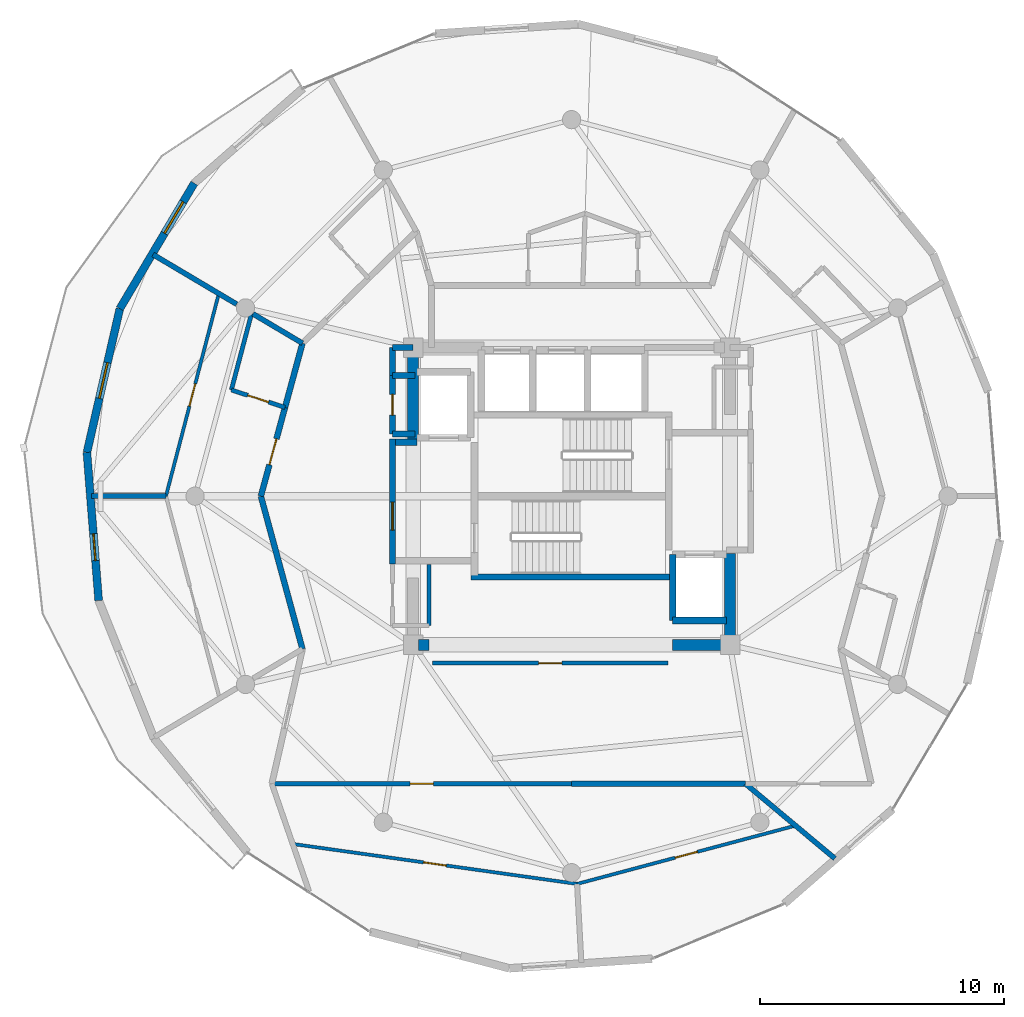
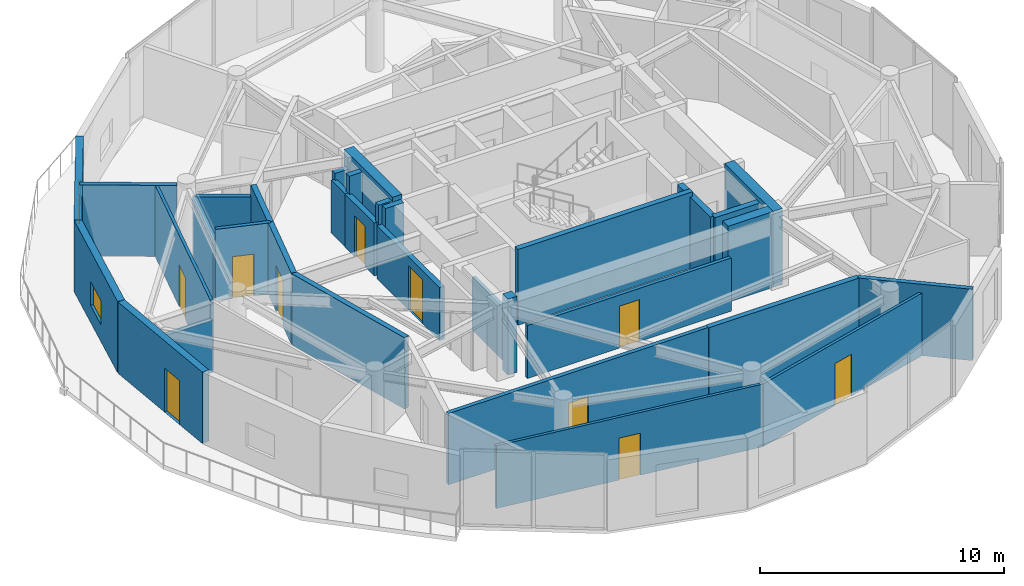
# One storey, part 12 of 17: 33 walls, 10 doors, 2 windows, 12 openings.
"""IFC4 building model written with IfcOpenShell, lengths in metres."""

from ifc_helpers import new_model, si_unit, direction, frame, frame_2d, origin, place, context, subcontext, project, spatial, rectangle, extrude, material, layer, layer_set, type_object, element, fill, save


model = new_model("IFC4")

# Units and contexts
model_context = context("Model", 3, precision=1e-05, world=origin(), true_north=direction((0.0, 1.0)))
body_context = subcontext(model_context, "Body", "Model", "MODEL_VIEW")
ifc_project = project(units=[si_unit("LENGTHUNIT", "METRE"), si_unit("AREAUNIT", "SQUARE_METRE"), si_unit("VOLUMEUNIT", "CUBIC_METRE"), si_unit("PLANEANGLEUNIT", "RADIAN"), si_unit("MASSUNIT", "GRAM", prefix="KILO")], contexts=[model_context])

# Site, building, storey
site_placement = place(None, origin())
site = spatial("IfcSite", under=ifc_project, at=site_placement, CompositionType="ELEMENT")
building_placement = place(site_placement, origin())
building = spatial("IfcBuilding", under=site, at=building_placement, Name="Solvirekh Grand Hotel", CompositionType="ELEMENT")
storey_placement = place(building_placement, frame((0.0, 0.0, 246.800048828125)))
storey = spatial("IfcBuildingStorey", under=building, at=storey_placement, Name="L64", CompositionType="ELEMENT", Elevation=246.800048828125)

# Walls
ifc_material_1 = material(Name="Concrete C50/60", Category="concrete")
ifc_layer_1 = layer(ifc_material_1, 0.35009765625)
ifc_layer_set_1 = layer_set([ifc_layer_1], Name="Concrete C50/60")
wall_type_1 = type_object("IfcWallType", Name="CoreDivWall_RC350", PredefinedType="SOLIDWALL", material=ifc_layer_set_1)
wall_1_placement = place(storey_placement, frame((-4.1298828125, -3.324951171875, 0.0), z_axis=(0.0, 0.0, 1.0), x_axis=(1.0, 0.0, 0.0)))
element("IfcWall", 1, at=wall_1_placement, inside=storey, type_object=wall_type_1, Name="L64 core stair box wall ST-S", PredefinedType="SOLIDWALL", context=body_context, shape_type="SweptSolid", body=[
    extrude(rectangle(XDim=8.259765625, YDim=0.25, at=frame_2d((4.1298828125, 0.0))), origin(), (0.0, 0.0, 1.0), 3.800048828125),
])
ifc_material_2 = material(Name="Concrete C40/50", Category="concrete")
ifc_layer_2 = layer(ifc_material_2, 0.280029296875)
ifc_layer_set_2 = layer_set([ifc_layer_2], Name="Concrete C40/50")
wall_type_2 = type_object("IfcWallType", Name="CoreShaftWall_RC280", PredefinedType="SOLIDWALL", material=ifc_layer_set_2)
wall_2_placement = place(storey_placement, frame((4.14990234375, -5.10009765625, 0.0), z_axis=(0.0, 0.0, 1.0), x_axis=(1.0, 0.0, 0.0)))
element("IfcWall", 2, at=wall_2_placement, inside=storey, type_object=wall_type_2, Name="L64 FL-2 hoistway S wall", PredefinedType="SOLIDWALL", context=body_context, shape_type="SweptSolid", body=[
    extrude(rectangle(XDim=2.2001953125, YDim=0.280029296875, at=frame_2d((1.10009765625, 0.0))), origin(), (0.0, 0.0, 1.0), 3.570068359375),
])
wall_3_placement = place(storey_placement, frame((4.14990234375, -2.39990234375, 0.0), z_axis=(0.0, 0.0, 1.0), x_axis=(0.0, -1.0, 0.0)))
element("IfcWall", 3, at=wall_3_placement, inside=storey, type_object=wall_type_2, Name="L64 FL-2 hoistway W wall", PredefinedType="SOLIDWALL", context=body_context, shape_type="SweptSolid", body=[
    extrude(rectangle(XDim=2.7001953125, YDim=0.280029296875, at=frame_2d((1.35009765625, 0.0))), origin(), (0.0, 0.0, 1.0), 3.570068359375),
])
ifc_layer_3 = layer(ifc_material_1, 0.449951171875)
ifc_layer_set_3 = layer_set([ifc_layer_3], Name="Concrete C50/60")
wall_type_3 = type_object("IfcWallType", Name="CoreWall_RC450", PredefinedType="SHEAR", material=ifc_layer_set_3)
wall_4_placement = place(storey_placement, frame((-6.27490234375, -6.10009765625, 0.0), z_axis=(0.0, 0.0, 1.0), x_axis=(1.0, 0.0, 0.0)))
element("IfcWall", 4, at=wall_4_placement, inside=storey, type_object=wall_type_3, Name="L64 core corner shear wall SW-S", PredefinedType="SHEAR", context=body_context, shape_type="SweptSolid", body=[
    extrude(rectangle(XDim=0.4248046875, YDim=0.449951171875, at=frame_2d((0.21240234375, 0.0))), origin(), (0.0, 0.0, 1.0), 3.800048828125),
])
wall_5_placement = place(storey_placement, frame((4.14990234375, -6.10009765625, 0.0), z_axis=(0.0, 0.0, 1.0), x_axis=(1.0, 0.0, 0.0)))
element("IfcWall", 5, at=wall_5_placement, inside=storey, type_object=wall_type_3, Name="L64 core corner shear wall SE-S", PredefinedType="SHEAR", context=body_context, shape_type="SweptSolid", body=[
    extrude(rectangle(XDim=2.125, YDim=0.449951171875, at=frame_2d((1.0625, 0.0))), origin(), (0.0, 0.0, 1.0), 3.800048828125),
])
for number, where, z_axis, x_axis, name in (
    (6, (-6.5, 2.35009765625, 0.0), (0.0, 0.0, 1.0), (0.0, 1.0, 0.0), "L64 core corner shear wall WN-W"),
    (7, (6.5, -6.324951171875, 0.0), (0.0, 0.0, 1.0), (0.0, 1.0, 0.0), "L64 core corner shear wall ES-E"),
):
    element("IfcWall", number, at=place(storey_placement, frame(where, z_axis=z_axis, x_axis=x_axis)), inside=storey, type_object=wall_type_3, Name=name, PredefinedType="SHEAR", context=body_context, shape_type="SweptSolid", body=[
        extrude(rectangle(XDim=3.974853515625, YDim=0.449951171875, at=frame_2d((1.9873046875, 0.0))), origin(), (0.0, 0.0, 1.0), 3.800048828125),
    ])

# Wall, opening, window
ifc_material_3 = material(Name="Precast concrete C45/55", Category="concrete")
ifc_layer_4 = layer(ifc_material_3, 0.320068359375)
ifc_layer_set_4 = layer_set([ifc_layer_4], Name="Precast concrete C45/55")
wall_type_4 = type_object("IfcWallType", Name="ExtLobbyWall_RC320", PredefinedType="SOLIDWALL", material=ifc_layer_set_4)
wall_6_placement = place(storey_placement, frame((-18.535888671875, 7.695068359375, 0.0), z_axis=(0.0, 0.0, 1.0), x_axis=(0.510284251863, 0.860005803644, 0.0)))
wall_6 = element("IfcWall", 8, at=wall_6_placement, inside=storey, type_object=wall_type_4, Name="L64 cantilevered deck support wall chord 13", PredefinedType="SOLIDWALL", context=body_context, shape_type="SweptSolid", body=[
    extrude(rectangle(XDim=5.98486328125, YDim=0.320068359375, at=frame_2d((2.992431640625, 0.0))), origin(), (0.0, 0.0, 1.0), 3.570068359375),
])
opening_1_placement = place(wall_6_placement, frame((3.594970703125, 0.0, 0.85009765625)))
opening_1 = element("IfcOpeningElement", 9, at=opening_1_placement, cuts=wall_6, Name="Opening W05", PredefinedType="OPENING", context=body_context, shape_type="SweptSolid", body=[
    extrude(rectangle(XDim=1.5, YDim=1.199951171875, at=frame_2d((0.75, 0.60009765625))), frame((0.0, 0.169921875, 0.0), z_axis=(0.0, -1.0, 0.0), x_axis=(1.0, 0.0, 0.0)), (0.0, 0.0, 1.0), 0.340087890625),
])
ifc_material_4 = material(Name="Low-E Tinted Bronze Laminated Glass", Category="aluminium")
window_type = type_object("IfcWindowType", Name="Win_PlantVent_1500X1200", PartitioningType="SINGLE_PANEL", PredefinedType="WINDOW", material=ifc_material_4)
window_1_placement = place(opening_1_placement, origin())
window_1 = element("IfcWindow", 10, at=window_1_placement, inside=storey, type_object=window_type, Name="L64 bronze-framed vision ribbon window 13", OverallHeight=1.199951171875, OverallWidth=1.5, PartitioningType="SINGLE_PANEL", PredefinedType="WINDOW", context=body_context, shape_type="SweptSolid", body=[
    extrude(rectangle(XDim=1.5, YDim=1.199951171875, at=frame_2d((0.75, 0.60009765625))), frame((0.0, 0.030029296875, 0.0), z_axis=(0.0, -1.0, 0.0), x_axis=(1.0, 0.0, 0.0)), (0.0, 0.0, 1.0), 0.06005859375),
])
fill(opening_1, window_1)

wall_7_placement = place(storey_placement, frame((-19.886962890625, 1.794921875, 0.0), z_axis=(0.0, 0.0, 1.0), x_axis=(0.223212485592, 0.974769811943, 0.0)))
wall_7 = element("IfcWall", 11, at=wall_7_placement, inside=storey, type_object=wall_type_4, Name="L64 cantilevered deck support wall chord 14", PredefinedType="SOLIDWALL", context=body_context, shape_type="SweptSolid", body=[
    extrude(rectangle(XDim=6.052978515625, YDim=0.320068359375, at=frame_2d((3.0263671875, 0.0))), origin(), (0.0, 0.0, 1.0), 3.570068359375),
])
opening_2_placement = place(wall_7_placement, frame((2.27587890625, 0.0, 0.85009765625)))
opening_2 = element("IfcOpeningElement", 12, at=opening_2_placement, cuts=wall_7, Name="Opening W05", PredefinedType="OPENING", context=body_context, shape_type="SweptSolid", body=[
    extrude(rectangle(XDim=1.5, YDim=1.199951171875, at=frame_2d((0.75, 0.60009765625))), frame((0.0, 0.169921875, 0.0), z_axis=(0.0, -1.0, 0.0), x_axis=(1.0, 0.0, 0.0)), (0.0, 0.0, 1.0), 0.340087890625),
])
window_2_placement = place(opening_2_placement, origin())
window_2 = element("IfcWindow", 13, at=window_2_placement, inside=storey, type_object=window_type, Name="L64 bronze-framed vision ribbon window 14", OverallHeight=1.199951171875, OverallWidth=1.5, PartitioningType="SINGLE_PANEL", PredefinedType="WINDOW", context=body_context, shape_type="SweptSolid", body=[
    extrude(rectangle(XDim=1.5, YDim=1.199951171875, at=frame_2d((0.75, 0.60009765625))), frame((0.0, 0.030029296875, 0.0), z_axis=(0.0, -1.0, 0.0), x_axis=(1.0, 0.0, 0.0)), (0.0, 0.0, 1.0), 0.06005859375),
])
fill(opening_2, window_2)

# Wall, opening, door
wall_8_placement = place(storey_placement, frame((-19.405029296875, -4.281982421875, 0.0), z_axis=(0.0, 0.0, 1.0), x_axis=(-0.079057550351, 0.996870053584, 0.0)))
wall_8 = element("IfcWall", 14, at=wall_8_placement, inside=storey, type_object=wall_type_4, Name="L64 exterior structural wall chord 15", PredefinedType="SOLIDWALL", context=body_context, shape_type="SweptSolid", body=[
    extrude(rectangle(XDim=6.095947265625, YDim=0.320068359375, at=frame_2d((3.0478515625, 0.0))), origin(), (0.0, 0.0, 1.0), 3.570068359375),
])
opening_3_placement = place(wall_8_placement, frame((1.64599609375, 0.0, 0.0)))
opening_3 = element("IfcOpeningElement", 15, at=opening_3_placement, cuts=wall_8, Name="Opening D03", PredefinedType="OPENING", context=body_context, shape_type="SweptSolid", body=[
    extrude(rectangle(XDim=1.10009765625, YDim=2.199951171875, at=frame_2d((0.550048828125, 1.10009765625))), frame((0.0, 0.169921875, 0.0), z_axis=(0.0, -1.0, 0.0), x_axis=(1.0, 0.0, 0.0)), (0.0, 0.0, 1.0), 0.340087890625),
])
ifc_material_5 = material(Name="Anodized Bronze Aluminium 6063-T6", Category="aluminium")
door_type_1 = type_object("IfcDoorType", Name="Door_ExtBalcony_1100X2200", OperationType="NOTDEFINED", PredefinedType="DOOR", material=ifc_material_5)
door_1_placement = place(opening_3_placement, origin())
door_1 = element("IfcDoor", 16, at=door_1_placement, inside=storey, type_object=door_type_1, Name="L64 Crescent balcony glazed door (15)", OperationType="SINGLE_SWING_LEFT", OverallHeight=2.199951171875, OverallWidth=1.10009765625, PredefinedType="DOOR", context=body_context, shape_type="SweptSolid", body=[
    extrude(rectangle(XDim=1.10009765625, YDim=2.199951171875, at=frame_2d((0.550048828125, 1.10009765625))), frame((0.0, 0.02490234375, 0.0), z_axis=(0.0, -1.0, 0.0), x_axis=(1.0, 0.0, 0.0)), (0.0, 0.0, 1.0), 0.050048828125),
])
fill(opening_3, door_1)

# Wall
ifc_material_6 = material(Name="Acoustic Gypsum Partition Assembly")
ifc_layer_5 = layer(ifc_material_6, 0.1650390625)
ifc_layer_set_5 = layer_set([ifc_layer_5], Name="Acoustic Gypsum Partition Assembly")
wall_type_5 = type_object("IfcWallType", Name="Part_BOH_165", PredefinedType="PARTITIONING", material=ifc_layer_set_5)
wall_9_placement = place(storey_placement, frame((-5.85009765625, -5.300048828125, 0.0), z_axis=(0.0, 0.0, 1.0), x_axis=(0.0, 1.0, 0.0)))
element("IfcWall", 17, at=wall_9_placement, inside=storey, type_object=wall_type_5, Name="L64 L64 Core Linen Store wall 2", PredefinedType="PARTITIONING", context=body_context, shape_type="SweptSolid", body=[
    extrude(rectangle(XDim=2.5, YDim=0.1650390625, at=frame_2d((1.25, 0.0))), origin(), (0.0, 0.0, 1.0), 2.655029296875),
])

# Wall, opening, door
wall_10_placement = place(storey_placement, frame((-5.699951171875, -6.85009765625, 0.0), z_axis=(0.0, 0.0, 1.0), x_axis=(1.0, 0.0, 0.0)))
wall_10 = element("IfcWall", 18, at=wall_10_placement, inside=storey, type_object=wall_type_5, Name="L64 Housekeeping & Linen Store wall 1", PredefinedType="PARTITIONING", context=body_context, shape_type="SweptSolid", body=[
    extrude(rectangle(XDim=9.64990234375, YDim=0.1650390625, at=frame_2d((4.824951171875, 0.0))), origin(), (0.0, 0.0, 1.0), 2.655029296875),
])
opening_4_placement = place(wall_10_placement, frame((4.35009765625, 0.0, 0.0)))
opening_4 = element("IfcOpeningElement", 19, at=opening_4_placement, cuts=wall_10, Name="Opening D10", PredefinedType="OPENING", context=body_context, shape_type="SweptSolid", body=[
    extrude(rectangle(XDim=0.949951171875, YDim=2.10009765625, at=frame_2d((0.47509765625, 1.050048828125))), frame((0.0, 0.092529296875, 0.0), z_axis=(0.0, -1.0, 0.0), x_axis=(1.0, 0.0, 0.0)), (0.0, 0.0, 1.0), 0.18505859375),
])
door_type_2 = type_object("IfcDoorType", Name="Door_RoomInt_950X2100", OperationType="NOTDEFINED", PredefinedType="DOOR", material=ifc_material_5)
door_2_placement = place(opening_4_placement, origin())
door_2 = element("IfcDoor", 20, at=door_2_placement, inside=storey, type_object=door_type_2, Name="L64 Housekeeping & Linen Store door", OperationType="SINGLE_SWING_LEFT", OverallHeight=2.10009765625, OverallWidth=0.949951171875, PredefinedType="DOOR", context=body_context, shape_type="SweptSolid", body=[
    extrude(rectangle(XDim=0.949951171875, YDim=2.10009765625, at=frame_2d((0.47509765625, 1.050048828125))), frame((0.0, 0.02490234375, 0.0), z_axis=(0.0, -1.0, 0.0), x_axis=(1.0, 0.0, 0.0)), (0.0, 0.0, 1.0), 0.050048828125),
])
fill(opening_4, door_2)

ifc_layer_6 = layer(ifc_material_6, 0.239990234375)
ifc_layer_set_6 = layer_set([ifc_layer_6], Name="Acoustic Gypsum Partition Assembly")
wall_type_6 = type_object("IfcWallType", Name="Part_Corridor_240", PredefinedType="PARTITIONING", material=ifc_layer_set_6)
wall_11_placement = place(storey_placement, frame((-7.35009765625, -2.780029296875, 0.0), z_axis=(0.0, 0.0, 1.0), x_axis=(0.0, 1.0, 0.0)))
wall_11 = element("IfcWall", 21, at=wall_11_placement, inside=storey, type_object=wall_type_6, Name="L64 west firefighting lobby smoke screen wall", PredefinedType="PARTITIONING", context=body_context, shape_type="SweptSolid", body=[
    extrude(rectangle(XDim=5.1201171875, YDim=0.239990234375, at=frame_2d((2.56005859375, 0.0))), origin(), (0.0, 0.0, 1.0), 2.655029296875),
])
opening_5_placement = place(wall_11_placement, frame((1.388916015625, 0.0, 0.0)))
opening_5 = element("IfcOpeningElement", 22, at=opening_5_placement, cuts=wall_11, Name="Opening D06", PredefinedType="OPENING", context=body_context, shape_type="SweptSolid", body=[
    extrude(rectangle(XDim=1.14990234375, YDim=2.199951171875, at=frame_2d((0.574951171875, 1.10009765625))), frame((0.0, 0.1298828125, 0.0), z_axis=(0.0, -1.0, 0.0), x_axis=(1.0, 0.0, 0.0)), (0.0, 0.0, 1.0), 0.260009765625),
])
ifc_material_7 = material(Name="Fire-Rated Steel Door Assembly", Category="steel")
door_type_3 = type_object("IfcDoorType", Name="Door_FFLobby_1150X2200", OperationType="NOTDEFINED", PredefinedType="DOOR", material=ifc_material_7)
door_3_placement = place(opening_5_placement, origin())
door_3 = element("IfcDoor", 23, at=door_3_placement, inside=storey, type_object=door_type_3, Name="L64 west firefighting lobby smoke door", OperationType="SINGLE_SWING_RIGHT", OverallHeight=2.199951171875, OverallWidth=1.14990234375, PredefinedType="DOOR", context=body_context, shape_type="SweptSolid", body=[
    extrude(rectangle(XDim=1.14990234375, YDim=2.199951171875, at=frame_2d((0.574951171875, 1.10009765625))), frame((0.0, 0.02490234375, 0.0), z_axis=(0.0, -1.0, 0.0), x_axis=(1.0, 0.0, 0.0)), (0.0, 0.0, 1.0), 0.050048828125),
])
fill(opening_5, door_3)

# Walls
wall_12_placement = place(storey_placement, frame((-7.35009765625, 4.949951171875, 0.0), z_axis=(0.0, 0.0, 1.0), x_axis=(0.0, 1.0, 0.0)))
element("IfcWall", 24, at=wall_12_placement, inside=storey, type_object=wall_type_6, Name="L64 NW core cheek closure wall", PredefinedType="PARTITIONING", context=body_context, shape_type="SweptSolid", body=[
    extrude(rectangle(XDim=1.150146484375, YDim=0.239990234375, at=frame_2d((0.5751953125, 0.0))), origin(), (0.0, 0.0, 1.0), 2.655029296875),
])
wall_13_placement = place(storey_placement, frame((-7.35009765625, 6.10009765625, 0.0), z_axis=(0.0, 0.0, 1.0), x_axis=(1.0, 0.0, 0.0)))
element("IfcWall", 25, at=wall_13_placement, inside=storey, type_object=wall_type_6, Name="L64 NW core corner tie wall", PredefinedType="PARTITIONING", context=body_context, shape_type="SweptSolid", body=[
    extrude(rectangle(XDim=0.85009765625, YDim=0.239990234375, at=frame_2d((0.425048828125, 0.0))), origin(), (0.0, 0.0, 1.0), 3.010986328125),
])
wall_14_placement = place(storey_placement, frame((-11.0419921875, 6.27490234375, 0.0), z_axis=(0.0, 0.0, 1.0), x_axis=(-0.262572701387, -0.964912211803, 0.0)))
element("IfcWall", 26, at=wall_14_placement, inside=storey, type_object=wall_type_6, Name="L64 En-suite Bathroom 6604 corridor backing wall", PredefinedType="PARTITIONING", context=body_context, shape_type="SweptSolid", body=[
    extrude(rectangle(XDim=2.730712890625, YDim=0.239990234375, at=frame_2d((1.365234375, 0.0))), origin(), (0.0, 0.0, 1.0), 3.570068359375),
])
wall_15_placement = place(storey_placement, frame((-12.75, 0.0, 0.0), z_axis=(0.0, 0.0, 1.0), x_axis=(0.262640884433, -0.964893655189, 0.0)))
element("IfcWall", 27, at=wall_15_placement, inside=storey, type_object=wall_type_6, Name="L64 Executive Suite 6604 Living Room corridor wall 1", PredefinedType="PARTITIONING", context=body_context, shape_type="SweptSolid", body=[
    extrude(rectangle(XDim=6.503173828125, YDim=0.239990234375, at=frame_2d((3.25146484375, 0.0))), origin(), (0.0, 0.0, 1.0), 3.570068359375),
])

# Wall, opening, door
wall_16_placement = place(storey_placement, frame((-11.759033203125, 3.639892578125, 0.0), z_axis=(0.0, 0.0, 1.0), x_axis=(-0.2626902414, -0.964880219029, 0.0)))
wall_16 = element("IfcWall", 28, at=wall_16_placement, inside=storey, type_object=wall_type_6, Name="L64 Executive Suite 6604 Living Room entrance wall", PredefinedType="PARTITIONING", context=body_context, shape_type="SweptSolid", body=[
    extrude(rectangle(XDim=3.7724609375, YDim=0.239990234375, at=frame_2d((1.88623046875, 0.0))), origin(), (0.0, 0.0, 1.0), 3.570068359375),
])
opening_6_placement = place(wall_16_placement, frame((1.3359375, 0.0, 0.0)))
opening_6 = element("IfcOpeningElement", 29, at=opening_6_placement, cuts=wall_16, Name="Opening D08", PredefinedType="OPENING", context=body_context, shape_type="SweptSolid", body=[
    extrude(rectangle(XDim=1.10009765625, YDim=2.300048828125, at=frame_2d((0.550048828125, 1.14990234375))), frame((0.0, 0.1298828125, 0.0), z_axis=(0.0, -1.0, 0.0), x_axis=(1.0, 0.0, 0.0)), (0.0, 0.0, 1.0), 0.260009765625),
])
door_type_4 = type_object("IfcDoorType", Name="Door_SuiteEntry_1100X2300", OperationType="NOTDEFINED", PredefinedType="DOOR", material=ifc_material_7)
door_4_placement = place(opening_6_placement, origin())
door_4 = element("IfcDoor", 30, at=door_4_placement, inside=storey, type_object=door_type_4, Name="L64 Executive Suite 6604 Living Room entrance door", OperationType="SINGLE_SWING_LEFT", OverallHeight=2.300048828125, OverallWidth=1.10009765625, PredefinedType="DOOR", context=body_context, shape_type="SweptSolid", body=[
    extrude(rectangle(XDim=1.10009765625, YDim=2.300048828125, at=frame_2d((0.550048828125, 1.14990234375))), frame((0.0, 0.02490234375, 0.0), z_axis=(0.0, -1.0, 0.0), x_axis=(1.0, 0.0, 0.0)), (0.0, 0.0, 1.0), 0.050048828125),
])
fill(opening_6, door_4)

# Wall
wall_17_placement = place(storey_placement, frame((0.0, -11.800048828125, 0.0), z_axis=(0.0, 0.0, 1.0), x_axis=(1.0, 0.0, 0.0)))
element("IfcWall", 31, at=wall_17_placement, inside=storey, type_object=wall_type_6, Name="L64 L64 Sky Club Reading Lounge corridor wall 1", PredefinedType="PARTITIONING", context=body_context, shape_type="SweptSolid", body=[
    extrude(rectangle(XDim=7.134033203125, YDim=0.239990234375, at=frame_2d((3.56689453125, 0.0))), origin(), (0.0, 0.0, 1.0), 3.570068359375),
])

# Wall, opening, door
ifc_layer_7 = layer(ifc_material_6, 0.18994140625)
ifc_layer_set_7 = layer_set([ifc_layer_7], Name="Acoustic Gypsum Partition Assembly")
wall_type_7 = type_object("IfcWallType", Name="Part_GuestDemise_190", PredefinedType="PARTITIONING", material=ifc_layer_set_7)
wall_18_placement = place(storey_placement, frame((-12.300048828125, -11.800048828125, 0.0), z_axis=(0.0, 0.0, 1.0), x_axis=(1.0, 0.0, 0.0)))
wall_18 = element("IfcWall", 32, at=wall_18_placement, inside=storey, type_object=wall_type_7, Name="L64 L64 Sky Club Reading Lounge entrance wall", PredefinedType="PARTITIONING", context=body_context, shape_type="SweptSolid", body=[
    extrude(rectangle(XDim=12.300048828125, YDim=0.18994140625, at=frame_2d((6.14990234375, 0.0))), origin(), (0.0, 0.0, 1.0), 3.570068359375),
])
opening_7_placement = place(wall_18_placement, frame((5.675048828125, 0.0, 0.0)))
opening_7 = element("IfcOpeningElement", 33, at=opening_7_placement, cuts=wall_18, Name="Opening D10", PredefinedType="OPENING", context=body_context, shape_type="SweptSolid", body=[
    extrude(rectangle(XDim=0.949951171875, YDim=2.10009765625, at=frame_2d((0.47509765625, 1.050048828125))), frame((0.0, 0.10498046875, 0.0), z_axis=(0.0, -1.0, 0.0), x_axis=(1.0, 0.0, 0.0)), (0.0, 0.0, 1.0), 0.2099609375),
])
door_5_placement = place(opening_7_placement, origin())
door_5 = element("IfcDoor", 34, at=door_5_placement, inside=storey, type_object=door_type_2, Name="L64 L64 Sky Club Reading Lounge entrance door", OperationType="SINGLE_SWING_RIGHT", OverallHeight=2.10009765625, OverallWidth=0.949951171875, PredefinedType="DOOR", context=body_context, shape_type="SweptSolid", body=[
    extrude(rectangle(XDim=0.949951171875, YDim=2.10009765625, at=frame_2d((0.47509765625, 1.050048828125))), frame((0.0, 0.02490234375, 0.0), z_axis=(0.0, -1.0, 0.0), x_axis=(1.0, 0.0, 0.0)), (0.0, 0.0, 1.0), 0.050048828125),
])
fill(opening_7, door_5)

# Walls
ifc_layer_8 = layer(ifc_material_6, 0.260009765625)
ifc_layer_set_8 = layer_set([ifc_layer_8], Name="Acoustic Gypsum Partition Assembly")
wall_type_8 = type_object("IfcWallType", Name="Part_LobbyFF_260", PredefinedType="PARTITIONING", material=ifc_layer_set_8)
wall_19_placement = place(storey_placement, frame((-7.22509765625, 2.2099609375, 0.0), z_axis=(0.0, 0.0, 1.0), x_axis=(1.0, 0.0, 0.0)))
element("IfcWall", 35, at=wall_19_placement, inside=storey, type_object=wall_type_8, Name="L64 west firefighting lobby NW cheek", PredefinedType="PARTITIONING", context=body_context, shape_type="SweptSolid", body=[
    extrude(rectangle(XDim=0.875, YDim=0.260009765625, at=frame_2d((0.4375, 0.0))), origin(), (0.0, 0.0, 1.0), 3.570068359375),
])
for number, where, z_axis, x_axis, name in (
    (36, (-7.35009765625, 4.949951171875, 0.0), (0.0, 0.0, 1.0), (1.0, 0.0, 0.0), "L64 NW telecom metering cupboard north wall"),
    (37, (-7.35009765625, 2.550048828125, 0.0), (0.0, 0.0, 1.0), (1.0, 0.0, 0.0), "L64 NW telecom metering cupboard south wall"),
):
    element("IfcWall", number, at=place(storey_placement, frame(where, z_axis=z_axis, x_axis=x_axis)), inside=storey, type_object=wall_type_8, Name=name, PredefinedType="PARTITIONING", context=body_context, shape_type="SweptSolid", body=[
        extrude(rectangle(XDim=0.93017578125, YDim=0.260009765625, at=frame_2d((0.465087890625, 0.0))), origin(), (0.0, 0.0, 1.0), 3.570068359375),
    ])

# Wall, opening, door
wall_20_placement = place(storey_placement, frame((-7.35009765625, 2.550048828125, 0.0), z_axis=(0.0, 0.0, 1.0), x_axis=(0.0, 1.0, 0.0)))
wall_20 = element("IfcWall", 38, at=wall_20_placement, inside=storey, type_object=wall_type_8, Name="L64 NW telecom metering cupboard access wall", PredefinedType="PARTITIONING", context=body_context, shape_type="SweptSolid", body=[
    extrude(rectangle(XDim=2.39990234375, YDim=0.260009765625, at=frame_2d((1.199951171875, 0.0))), origin(), (0.0, 0.0, 1.0), 2.655029296875),
])
opening_8_placement = place(wall_20_placement, frame((0.77490234375, 0.0, 0.0)))
opening_8 = element("IfcOpeningElement", 39, at=opening_8_placement, cuts=wall_20, Name="Opening D13", PredefinedType="OPENING", context=body_context, shape_type="SweptSolid", body=[
    extrude(rectangle(XDim=0.85009765625, YDim=2.050048828125, at=frame_2d((0.425048828125, 1.02490234375))), frame((0.0, 0.14013671875, 0.0), z_axis=(0.0, -1.0, 0.0), x_axis=(1.0, 0.0, 0.0)), (0.0, 0.0, 1.0), 0.280029296875),
])
door_type_5 = type_object("IfcDoorType", Name="Door_RiserShaft_850X2050", OperationType="NOTDEFINED", PredefinedType="DOOR", material=ifc_material_7)
door_6_placement = place(opening_8_placement, origin())
door_6 = element("IfcDoor", 40, at=door_6_placement, inside=storey, type_object=door_type_5, Name="L64 telecom metering cupboard access door", OperationType="SINGLE_SWING_RIGHT", OverallHeight=2.050048828125, OverallWidth=0.85009765625, PredefinedType="DOOR", context=body_context, shape_type="SweptSolid", body=[
    extrude(rectangle(XDim=0.85009765625, YDim=2.050048828125, at=frame_2d((0.425048828125, 1.02490234375))), frame((0.0, 0.02490234375, 0.0), z_axis=(0.0, -1.0, 0.0), x_axis=(1.0, 0.0, 0.0)), (0.0, 0.0, 1.0), 0.050048828125),
])
fill(opening_8, door_6)

ifc_layer_9 = layer(ifc_material_6, 0.135009765625)
ifc_layer_set_9 = layer_set([ifc_layer_9], Name="Acoustic Gypsum Partition Assembly")
wall_type_9 = type_object("IfcWallType", Name="Part_RoomInt_135", PredefinedType="PARTITIONING", material=ifc_layer_set_9)
wall_21_placement = place(storey_placement, frame((-14.47509765625, 8.31298828125, 0.0), z_axis=(0.0, 0.0, 1.0), x_axis=(-0.252565334536, -0.967579842592, 0.0)))
wall_21 = element("IfcWall", 41, at=wall_21_placement, inside=storey, type_object=wall_type_9, Name="L64 Executive Suite 6604 Living Room bedroom screen wall", PredefinedType="PARTITIONING", context=body_context, shape_type="SweptSolid", body=[
    extrude(rectangle(XDim=8.591552734375, YDim=0.135009765625, at=frame_2d((4.2958984375, 0.0))), origin(), (0.0, 0.0, 1.0), 3.570068359375),
])
opening_9_placement = place(wall_21_placement, frame((3.821044921875, 0.0, 0.0)))
opening_9 = element("IfcOpeningElement", 42, at=opening_9_placement, cuts=wall_21, Name="Opening D10", PredefinedType="OPENING", context=body_context, shape_type="SweptSolid", body=[
    extrude(rectangle(XDim=0.949951171875, YDim=2.10009765625, at=frame_2d((0.47509765625, 1.050048828125))), frame((0.0, 0.07763671875, 0.0), z_axis=(0.0, -1.0, 0.0), x_axis=(1.0, 0.0, 0.0)), (0.0, 0.0, 1.0), 0.155029296875),
])
door_7_placement = place(opening_9_placement, origin())
door_7 = element("IfcDoor", 43, at=door_7_placement, inside=storey, type_object=door_type_2, Name="L64 Executive Suite 6604 Living Room master bedroom door", OperationType="SINGLE_SWING_RIGHT", OverallHeight=2.10009765625, OverallWidth=0.949951171875, PredefinedType="DOOR", context=body_context, shape_type="SweptSolid", body=[
    extrude(rectangle(XDim=0.949951171875, YDim=2.10009765625, at=frame_2d((0.47509765625, 1.050048828125))), frame((0.0, 0.02490234375, 0.0), z_axis=(0.0, -1.0, 0.0), x_axis=(1.0, 0.0, 0.0)), (0.0, 0.0, 1.0), 0.050048828125),
])
fill(opening_9, door_7)

wall_22_placement = place(storey_placement, frame((-11.444091796875, -14.27099609375, 0.0), z_axis=(0.0, 0.0, 1.0), x_axis=(0.990280714827, -0.139083089705, 0.0)))
wall_22 = element("IfcWall", 44, at=wall_22_placement, inside=storey, type_object=wall_type_9, Name="L64 L64 South Horizon Conservatory bedroom screen wall", PredefinedType="PARTITIONING", context=body_context, shape_type="SweptSolid", body=[
    extrude(rectangle(XDim=11.78369140625, YDim=0.135009765625, at=frame_2d((5.891845703125, 0.0))), origin(), (0.0, 0.0, 1.0), 3.138916015625),
])
opening_10_placement = place(wall_22_placement, frame((5.4169921875, 0.0, 0.0)))
opening_10 = element("IfcOpeningElement", 45, at=opening_10_placement, cuts=wall_22, Name="Opening D10", PredefinedType="OPENING", context=body_context, shape_type="SweptSolid", body=[
    extrude(rectangle(XDim=0.949951171875, YDim=2.10009765625, at=frame_2d((0.47509765625, 1.050048828125))), frame((0.0, 0.07763671875, 0.0), z_axis=(0.0, -1.0, 0.0), x_axis=(1.0, 0.0, 0.0)), (0.0, 0.0, 1.0), 0.155029296875),
])
door_8_placement = place(opening_10_placement, origin())
door_8 = element("IfcDoor", 46, at=door_8_placement, inside=storey, type_object=door_type_2, Name="L64 L64 South Horizon Conservatory master bedroom door", OperationType="SINGLE_SWING_RIGHT", OverallHeight=2.10009765625, OverallWidth=0.949951171875, PredefinedType="DOOR", context=body_context, shape_type="SweptSolid", body=[
    extrude(rectangle(XDim=0.949951171875, YDim=2.10009765625, at=frame_2d((0.47509765625, 1.050048828125))), frame((0.0, 0.02490234375, 0.0), z_axis=(0.0, -1.0, 0.0), x_axis=(1.0, 0.0, 0.0)), (0.0, 0.0, 1.0), 0.050048828125),
])
fill(opening_10, door_8)

wall_23_placement = place(storey_placement, frame((0.22509765625, -15.909912109375, 0.0), z_axis=(0.0, 0.0, 1.0), x_axis=(0.966188184598, 0.25783791797, 0.0)))
wall_23 = element("IfcWall", 47, at=wall_23_placement, inside=storey, type_object=wall_type_9, Name="L64 L64 Riverfront Tea Belvedere bedroom screen wall", PredefinedType="PARTITIONING", context=body_context, shape_type="SweptSolid", body=[
    extrude(rectangle(XDim=9.276611328125, YDim=0.135009765625, at=frame_2d((4.63818359375, 0.0))), origin(), (0.0, 0.0, 1.0), 3.138916015625),
])
opening_11_placement = place(wall_23_placement, frame((4.1630859375, 0.0, 0.0)))
opening_11 = element("IfcOpeningElement", 48, at=opening_11_placement, cuts=wall_23, Name="Opening D10", PredefinedType="OPENING", context=body_context, shape_type="SweptSolid", body=[
    extrude(rectangle(XDim=0.949951171875, YDim=2.10009765625, at=frame_2d((0.47509765625, 1.050048828125))), frame((0.0, 0.07763671875, 0.0), z_axis=(0.0, -1.0, 0.0), x_axis=(1.0, 0.0, 0.0)), (0.0, 0.0, 1.0), 0.155029296875),
])
door_9_placement = place(opening_11_placement, origin())
door_9 = element("IfcDoor", 49, at=door_9_placement, inside=storey, type_object=door_type_2, Name="L64 L64 Riverfront Tea Belvedere master bedroom door", OperationType="SINGLE_SWING_LEFT", OverallHeight=2.10009765625, OverallWidth=0.949951171875, PredefinedType="DOOR", context=body_context, shape_type="SweptSolid", body=[
    extrude(rectangle(XDim=0.949951171875, YDim=2.10009765625, at=frame_2d((0.47509765625, 1.050048828125))), frame((0.0, 0.02490234375, 0.0), z_axis=(0.0, -1.0, 0.0), x_axis=(1.0, 0.0, 0.0)), (0.0, 0.0, 1.0), 0.050048828125),
])
fill(opening_11, door_9)

# Walls
ifc_layer_10 = layer(ifc_material_6, 0.2099609375)
ifc_layer_set_10 = layer_set([ifc_layer_10], Name="Acoustic Gypsum Partition Assembly")
wall_type_10 = type_object("IfcWallType", Name="Part_SuiteDemise_210", PredefinedType="PARTITIONING", material=ifc_layer_set_10)
wall_24_placement = place(storey_placement, frame((-11.0419921875, 6.27490234375, 0.0), z_axis=(0.0, 0.0, 1.0), x_axis=(-0.859975377651, 0.510335526721, 0.0)))
element("IfcWall", 50, at=wall_24_placement, inside=storey, type_object=wall_type_10, Name="L64 suite radial wall 6 (A)", PredefinedType="PARTITIONING", context=body_context, shape_type="SweptSolid", body=[
    extrude(rectangle(XDim=2.359375, YDim=0.2099609375, at=frame_2d((1.1796875, 0.0))), origin(), (0.0, 0.0, 1.0), 3.010986328125),
])
wall_25_placement = place(storey_placement, frame((-13.743896484375, 7.87890625, 0.0), z_axis=(0.0, 0.0, 1.0), x_axis=(-0.859849705024, 0.510547240488, 0.0)))
element("IfcWall", 51, at=wall_25_placement, inside=storey, type_object=wall_type_10, Name="L64 suite radial wall 6 (B)", PredefinedType="PARTITIONING", context=body_context, shape_type="SweptSolid", body=[
    extrude(rectangle(XDim=3.988037109375, YDim=0.2099609375, at=frame_2d((1.994140625, 0.0))), origin(), (0.0, 0.0, 1.0), 3.570068359375),
])
wall_26_placement = place(storey_placement, frame((-16.64501953125, 0.0, 0.0), z_axis=(0.0, 0.0, 1.0), x_axis=(-1.0, 0.0, 0.0)))
element("IfcWall", 52, at=wall_26_placement, inside=storey, type_object=wall_type_10, Name="L64 Executive Suite 6604 Living Room dividing partition 1", PredefinedType="PARTITIONING", context=body_context, shape_type="SweptSolid", body=[
    extrude(rectangle(XDim=3.06005859375, YDim=0.2099609375, at=frame_2d((1.530029296875, 0.0))), origin(), (0.0, 0.0, 1.0), 2.618896484375),
])
wall_27_placement = place(storey_placement, frame((7.134033203125, -11.800048828125, 0.0), z_axis=(0.0, 0.0, 1.0), x_axis=(0.767165499913, -0.641449215249, 0.0)))
element("IfcWall", 53, at=wall_27_placement, inside=storey, type_object=wall_type_10, Name="L64 L64 Sky Club Reading Lounge dividing partition 1", PredefinedType="PARTITIONING", context=body_context, shape_type="SweptSolid", body=[
    extrude(rectangle(XDim=4.78125, YDim=0.2099609375, at=frame_2d((2.390625, 0.0))), origin(), (0.0, 0.0, 1.0), 3.570068359375),
])
ifc_layer_11 = layer(ifc_material_6, 0.175048828125)
ifc_layer_set_11 = layer_set([ifc_layer_11], Name="Acoustic Gypsum Partition Assembly")
wall_type_11 = type_object("IfcWallType", Name="Plumb_Ensuite_175", PredefinedType="PLUMBINGWALL", material=ifc_layer_set_11)
wall_28_placement = place(storey_placement, frame((-13.126953125, 7.512939453125, 0.0), z_axis=(0.0, 0.0, 1.0), x_axis=(-0.25555737321, -0.966793891684, 0.0)))
element("IfcWall", 54, at=wall_28_placement, inside=storey, type_object=wall_type_11, Name="L64 En-suite Bathroom 6604 outer plumbing wall", PredefinedType="PLUMBINGWALL", context=body_context, shape_type="SweptSolid", body=[
    extrude(rectangle(XDim=3.263427734375, YDim=0.175048828125, at=frame_2d((1.6318359375, 0.0))), origin(), (0.0, 0.0, 1.0), 3.005859375),
])

# Wall, opening, door
wall_29_placement = place(storey_placement, frame((-11.759033203125, 3.639892578125, 0.0), z_axis=(0.0, 0.0, 1.0), x_axis=(-0.950729164037, 0.310022671187, 0.0)))
wall_29 = element("IfcWall", 55, at=wall_29_placement, inside=storey, type_object=wall_type_11, Name="L64 En-suite Bathroom 6604 entry plumbing wall", PredefinedType="PLUMBINGWALL", context=body_context, shape_type="SweptSolid", body=[
    extrude(rectangle(XDim=2.31591796875, YDim=0.175048828125, at=frame_2d((1.157958984375, 0.0))), origin(), (0.0, 0.0, 1.0), 3.570068359375),
])
opening_12_placement = place(wall_29_placement, frame((0.7080078125, 0.0, 0.0)))
opening_12 = element("IfcOpeningElement", 56, at=opening_12_placement, cuts=wall_29, Name="Opening D09", PredefinedType="OPENING", context=body_context, shape_type="SweptSolid", body=[
    extrude(rectangle(XDim=0.89990234375, YDim=2.10009765625, at=frame_2d((0.449951171875, 1.050048828125))), frame((0.0, 0.09765625, 0.0), z_axis=(0.0, -1.0, 0.0), x_axis=(1.0, 0.0, 0.0)), (0.0, 0.0, 1.0), 0.195068359375),
])
door_type_6 = type_object("IfcDoorType", Name="Door_Ensuite_900X2100", OperationType="NOTDEFINED", PredefinedType="DOOR", material=ifc_material_5)
door_10_placement = place(opening_12_placement, origin())
door_10 = element("IfcDoor", 57, at=door_10_placement, inside=storey, type_object=door_type_6, Name="L64 En-suite Bathroom 6604 door", OperationType="SINGLE_SWING_RIGHT", OverallHeight=2.10009765625, OverallWidth=0.89990234375, PredefinedType="DOOR", context=body_context, shape_type="SweptSolid", body=[
    extrude(rectangle(XDim=0.89990234375, YDim=2.10009765625, at=frame_2d((0.449951171875, 1.050048828125))), frame((0.0, 0.02490234375, 0.0), z_axis=(0.0, -1.0, 0.0), x_axis=(1.0, 0.0, 0.0)), (0.0, 0.0, 1.0), 0.050048828125),
])
fill(opening_12, door_10)

save(model, "model.ifc")
